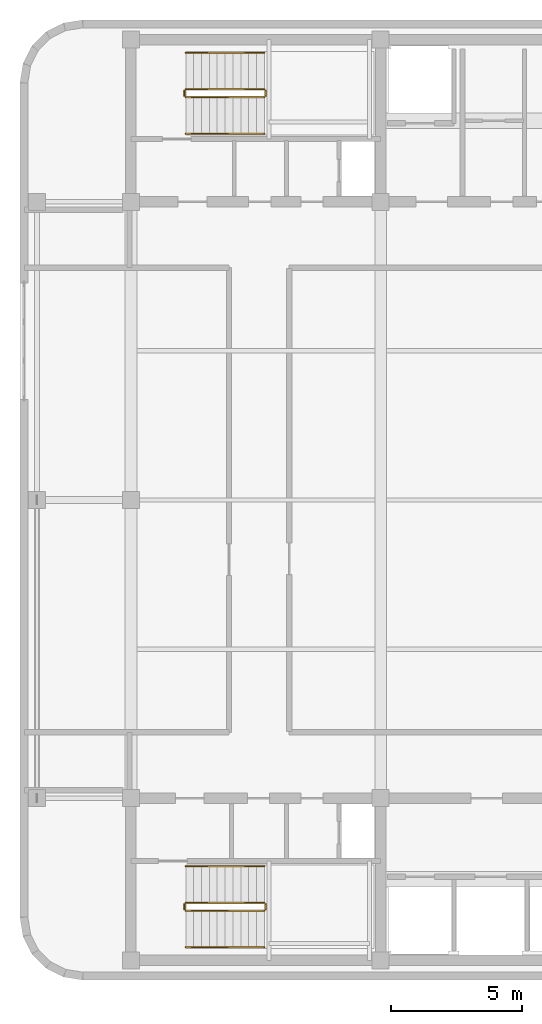
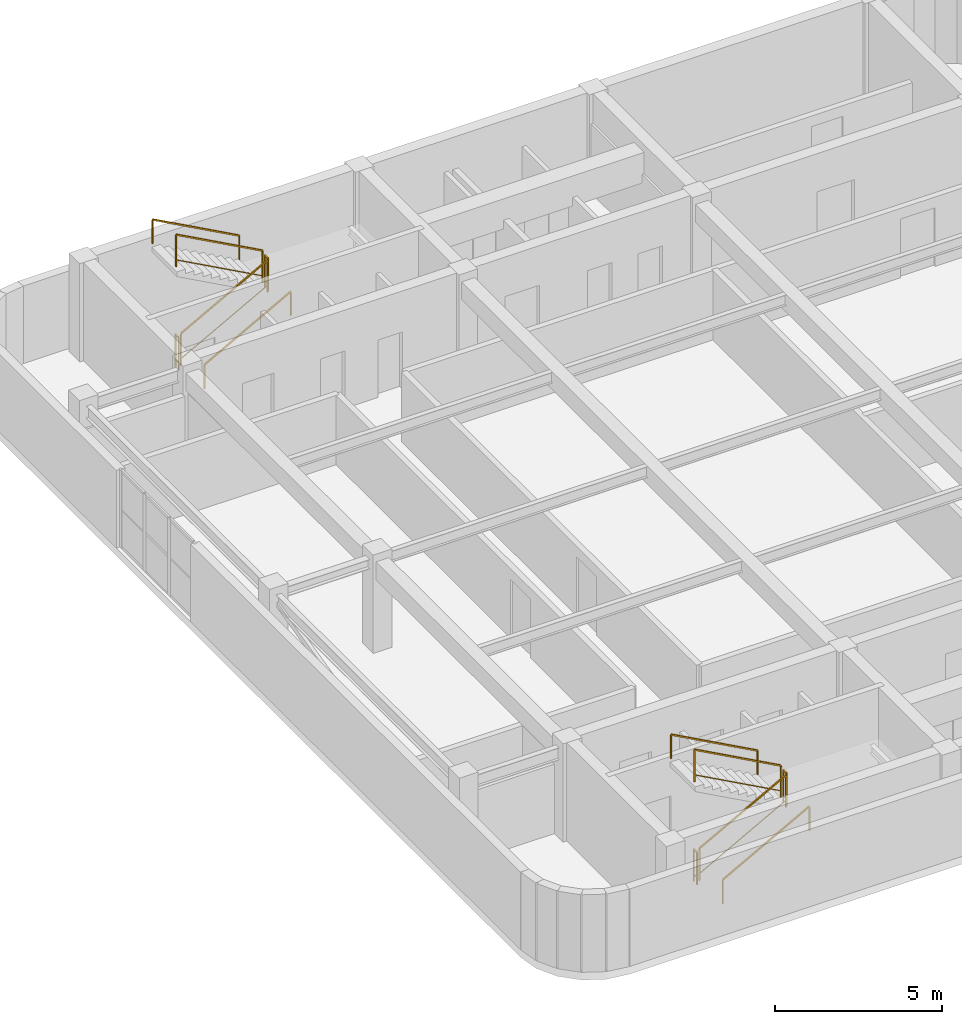
# One storey, part 9 of 9: 12 railings.
"""IFC4 building model written with IfcOpenShell, lengths in metres."""

from ifc_helpers import new_model, si_unit, direction, frame, origin, origin_2d, place, context, subcontext, project, spatial, rectangle, extrude, material, type_object, element, save


model = new_model("IFC4")

# Units and contexts
model_context = context("Model", 3, precision=1e-05, world=origin(), true_north=direction((0.0, 1.0)))
body_context = subcontext(model_context, "Body", "Model", "MODEL_VIEW")
ifc_project = project(units=[si_unit("LENGTHUNIT", "METRE"), si_unit("AREAUNIT", "SQUARE_METRE"), si_unit("VOLUMEUNIT", "CUBIC_METRE"), si_unit("PLANEANGLEUNIT", "RADIAN"), si_unit("MASSUNIT", "GRAM", prefix="KILO")], contexts=[model_context])

# Site, building, storey
site_placement = place(None, origin())
site = spatial("IfcSite", under=ifc_project, at=site_placement, CompositionType="ELEMENT")
building_placement = place(site_placement, origin())
building = spatial("IfcBuilding", under=site, at=building_placement, Name="Svetorya Sky Lyceum", CompositionType="ELEMENT")
storey_placement = place(building_placement, frame((0.0, 0.0, 309.199951171875)))
storey = spatial("IfcBuildingStorey", under=building, at=storey_placement, Name="C03", CompositionType="ELEMENT", Elevation=309.199951171875)

# Railings
ifc_material_1 = material(Name="Painted galvanized stair well guard")
railing_type_1 = type_object("IfcRailingType", Name="RL-STR-GUARD-1200", PredefinedType="GUARDRAIL", material=ifc_material_1)
railing_1_placement = place(storey_placement, frame((27.699951171875, 12.5, 0.16357421875)))
element("IfcRailing", 1, at=railing_1_placement, inside=storey, type_object=railing_type_1, Name="C03 ST-S stair guard 1", PredefinedType="GUARDRAIL", context=body_context, shape_type="SweptSolid", body=[
    extrude(rectangle(XDim=0.048095703125, YDim=0.048095703125, at=origin_2d()), frame((0.0, 0.0, 1.17578125), z_axis=(0.877881921179, 0.0, 0.478877158013), x_axis=(0.0, 1.0, 0.0)), (0.0, 0.0, 1.0), 3.417236328125),
    extrude(rectangle(XDim=0.02392578125, YDim=0.02392578125, at=origin_2d()), frame((0.0, 0.0, 0.25), z_axis=(0.877881921179, 0.0, 0.478877158013), x_axis=(0.0, 1.0, 0.0)), (0.0, 0.0, 1.0), 3.417236328125),
    extrude(rectangle(XDim=0.0419921875, YDim=0.0419921875, at=origin_2d()), origin(), (0.0, 0.0, 1.0), 1.15185546875),
    extrude(rectangle(XDim=0.0419921875, YDim=0.0419921875, at=origin_2d()), frame((3.0, 0.0, 1.636474609375)), (0.0, 0.0, 1.0), 1.15185546875),
])
railing_2_placement = place(storey_placement, frame((30.75, 12.550048828125, 1.800048828125)))
element("IfcRailing", 2, at=railing_2_placement, inside=storey, type_object=railing_type_1, Name="C03 ST-S stair guard 2", PredefinedType="GUARDRAIL", context=body_context, shape_type="SweptSolid", body=[
    extrude(rectangle(XDim=0.048095703125, YDim=0.048095703125, at=origin_2d()), frame((0.0, 0.0, 1.17578125), z_axis=(0.0, 1.0, 0.0), x_axis=(-1.0, 0.0, 0.0)), (0.0, 0.0, 1.0), 0.199951171875),
    extrude(rectangle(XDim=0.02392578125, YDim=0.02392578125, at=origin_2d()), frame((0.0, 0.0, 0.25), z_axis=(0.0, 1.0, 0.0), x_axis=(-1.0, 0.0, 0.0)), (0.0, 0.0, 1.0), 0.199951171875),
    extrude(rectangle(XDim=0.0419921875, YDim=0.0419921875, at=origin_2d()), origin(), (0.0, 0.0, 1.0), 1.15185546875),
    extrude(rectangle(XDim=0.0419921875, YDim=0.0419921875, at=origin_2d()), frame((0.0, 0.199951171875, 0.0)), (0.0, 0.0, 1.0), 1.15185546875),
])
railing_3_placement = place(storey_placement, frame((30.699951171875, 12.800048828125, 1.963623046875)))
element("IfcRailing", 3, at=railing_3_placement, inside=storey, type_object=railing_type_1, Name="C03 ST-S stair guard 3", PredefinedType="GUARDRAIL", context=body_context, shape_type="SweptSolid", body=[
    extrude(rectangle(XDim=0.048095703125, YDim=0.048095703125, at=origin_2d()), frame((0.0, 0.0, 1.17578125), z_axis=(-0.877881921179, 0.0, 0.478877158013), x_axis=(0.0, -1.0, 0.0)), (0.0, 0.0, 1.0), 3.417236328125),
    extrude(rectangle(XDim=0.02392578125, YDim=0.02392578125, at=origin_2d()), frame((0.0, 0.0, 0.25), z_axis=(-0.877881921179, 0.0, 0.478877158013), x_axis=(0.0, -1.0, 0.0)), (0.0, 0.0, 1.0), 3.417236328125),
    extrude(rectangle(XDim=0.0419921875, YDim=0.0419921875, at=origin_2d()), origin(), (0.0, 0.0, 1.0), 1.15185546875),
    extrude(rectangle(XDim=0.0419921875, YDim=0.0419921875, at=origin_2d()), frame((-3.0, 0.0, 1.636474609375)), (0.0, 0.0, 1.0), 1.15185546875),
])
railing_4_placement = place(storey_placement, frame((27.64990234375, 12.550048828125, 0.0)))
element("IfcRailing", 4, at=railing_4_placement, inside=storey, type_object=railing_type_1, Name="C03 ST-S stair guard 4", PredefinedType="GUARDRAIL", context=body_context, shape_type="SweptSolid", body=[
    extrude(rectangle(XDim=0.048095703125, YDim=0.048095703125, at=origin_2d()), frame((0.0, 0.0, 1.17578125), z_axis=(0.0, 1.0, 0.0), x_axis=(-1.0, 0.0, 0.0)), (0.0, 0.0, 1.0), 0.199951171875),
    extrude(rectangle(XDim=0.02392578125, YDim=0.02392578125, at=origin_2d()), frame((0.0, 0.0, 0.25), z_axis=(0.0, 1.0, 0.0), x_axis=(-1.0, 0.0, 0.0)), (0.0, 0.0, 1.0), 0.199951171875),
    extrude(rectangle(XDim=0.0419921875, YDim=0.0419921875, at=origin_2d()), origin(), (0.0, 0.0, 1.0), 1.15185546875),
    extrude(rectangle(XDim=0.0419921875, YDim=0.0419921875, at=origin_2d()), frame((0.0, 0.199951171875, 0.0)), (0.0, 0.0, 1.0), 1.15185546875),
])
railing_5_placement = place(storey_placement, frame((27.699951171875, 43.60009765625, 0.16357421875)))
element("IfcRailing", 5, at=railing_5_placement, inside=storey, type_object=railing_type_1, Name="C03 ST-N stair guard 1", PredefinedType="GUARDRAIL", context=body_context, shape_type="SweptSolid", body=[
    extrude(rectangle(XDim=0.048095703125, YDim=0.048095703125, at=origin_2d()), frame((0.0, 0.0, 1.17578125), z_axis=(0.877881921179, 0.0, 0.478877158013), x_axis=(0.0, 1.0, 0.0)), (0.0, 0.0, 1.0), 3.417236328125),
    extrude(rectangle(XDim=0.02392578125, YDim=0.02392578125, at=origin_2d()), frame((0.0, 0.0, 0.25), z_axis=(0.877881921179, 0.0, 0.478877158013), x_axis=(0.0, 1.0, 0.0)), (0.0, 0.0, 1.0), 3.417236328125),
    extrude(rectangle(XDim=0.0419921875, YDim=0.0419921875, at=origin_2d()), origin(), (0.0, 0.0, 1.0), 1.15185546875),
    extrude(rectangle(XDim=0.0419921875, YDim=0.0419921875, at=origin_2d()), frame((3.0, 0.0, 1.636474609375)), (0.0, 0.0, 1.0), 1.15185546875),
])
railing_6_placement = place(storey_placement, frame((30.75, 43.64990234375, 1.800048828125)))
element("IfcRailing", 6, at=railing_6_placement, inside=storey, type_object=railing_type_1, Name="C03 ST-N stair guard 2", PredefinedType="GUARDRAIL", context=body_context, shape_type="SweptSolid", body=[
    extrude(rectangle(XDim=0.048095703125, YDim=0.048095703125, at=origin_2d()), frame((0.0, 0.0, 1.17578125), z_axis=(0.0, 1.0, 0.0), x_axis=(-1.0, 0.0, 0.0)), (0.0, 0.0, 1.0), 0.2001953125),
    extrude(rectangle(XDim=0.02392578125, YDim=0.02392578125, at=origin_2d()), frame((0.0, 0.0, 0.25), z_axis=(0.0, 1.0, 0.0), x_axis=(-1.0, 0.0, 0.0)), (0.0, 0.0, 1.0), 0.2001953125),
    extrude(rectangle(XDim=0.0419921875, YDim=0.0419921875, at=origin_2d()), origin(), (0.0, 0.0, 1.0), 1.15185546875),
    extrude(rectangle(XDim=0.0419921875, YDim=0.0419921875, at=origin_2d()), frame((0.0, 0.2001953125, 0.0)), (0.0, 0.0, 1.0), 1.15185546875),
])
railing_7_placement = place(storey_placement, frame((30.699951171875, 43.89990234375, 1.963623046875)))
element("IfcRailing", 7, at=railing_7_placement, inside=storey, type_object=railing_type_1, Name="C03 ST-N stair guard 3", PredefinedType="GUARDRAIL", context=body_context, shape_type="SweptSolid", body=[
    extrude(rectangle(XDim=0.048095703125, YDim=0.048095703125, at=origin_2d()), frame((0.0, 0.0, 1.17578125), z_axis=(-0.877881921179, 0.0, 0.478877158013), x_axis=(0.0, -1.0, 0.0)), (0.0, 0.0, 1.0), 3.417236328125),
    extrude(rectangle(XDim=0.02392578125, YDim=0.02392578125, at=origin_2d()), frame((0.0, 0.0, 0.25), z_axis=(-0.877881921179, 0.0, 0.478877158013), x_axis=(0.0, -1.0, 0.0)), (0.0, 0.0, 1.0), 3.417236328125),
    extrude(rectangle(XDim=0.0419921875, YDim=0.0419921875, at=origin_2d()), origin(), (0.0, 0.0, 1.0), 1.15185546875),
    extrude(rectangle(XDim=0.0419921875, YDim=0.0419921875, at=origin_2d()), frame((-3.0, 0.0, 1.636474609375)), (0.0, 0.0, 1.0), 1.15185546875),
])
railing_8_placement = place(storey_placement, frame((27.64990234375, 43.64990234375, 0.0)))
element("IfcRailing", 8, at=railing_8_placement, inside=storey, type_object=railing_type_1, Name="C03 ST-N stair guard 4", PredefinedType="GUARDRAIL", context=body_context, shape_type="SweptSolid", body=[
    extrude(rectangle(XDim=0.048095703125, YDim=0.048095703125, at=origin_2d()), frame((0.0, 0.0, 1.17578125), z_axis=(0.0, 1.0, 0.0), x_axis=(-1.0, 0.0, 0.0)), (0.0, 0.0, 1.0), 0.2001953125),
    extrude(rectangle(XDim=0.02392578125, YDim=0.02392578125, at=origin_2d()), frame((0.0, 0.0, 0.25), z_axis=(0.0, 1.0, 0.0), x_axis=(-1.0, 0.0, 0.0)), (0.0, 0.0, 1.0), 0.2001953125),
    extrude(rectangle(XDim=0.0419921875, YDim=0.0419921875, at=origin_2d()), origin(), (0.0, 0.0, 1.0), 1.15185546875),
    extrude(rectangle(XDim=0.0419921875, YDim=0.0419921875, at=origin_2d()), frame((0.0, 0.2001953125, 0.0)), (0.0, 0.0, 1.0), 1.15185546875),
])
ifc_material_2 = material(Name="Brushed stainless AISI 304 stair handrail")
railing_type_2 = type_object("IfcRailingType", Name="RL-STR-HAND-920", PredefinedType="HANDRAIL", material=ifc_material_2)
railing_9_placement = place(storey_placement, frame((27.699951171875, 11.10009765625, 0.16357421875)))
element("IfcRailing", 9, at=railing_9_placement, inside=storey, type_object=railing_type_2, Name="C03 ST-S stair handrail 1", PredefinedType="HANDRAIL", context=body_context, shape_type="SweptSolid", body=[
    extrude(rectangle(XDim=0.048095703125, YDim=0.048095703125, at=origin_2d()), frame((0.0, 0.0, 0.8759765625), z_axis=(0.877881921179, 0.0, 0.478877158013), x_axis=(0.0, 1.0, 0.0)), (0.0, 0.0, 1.0), 3.417236328125),
    extrude(rectangle(XDim=0.0419921875, YDim=0.0419921875, at=origin_2d()), origin(), (0.0, 0.0, 1.0), 0.851806640625),
    extrude(rectangle(XDim=0.0419921875, YDim=0.0419921875, at=origin_2d()), frame((3.0, 0.0, 1.636474609375)), (0.0, 0.0, 1.0), 0.851806640625),
])
railing_10_placement = place(storey_placement, frame((30.699951171875, 14.199951171875, 1.963623046875)))
element("IfcRailing", 10, at=railing_10_placement, inside=storey, type_object=railing_type_2, Name="C03 ST-S stair handrail 2", PredefinedType="HANDRAIL", context=body_context, shape_type="SweptSolid", body=[
    extrude(rectangle(XDim=0.048095703125, YDim=0.048095703125, at=origin_2d()), frame((0.0, 0.0, 0.8759765625), z_axis=(-0.877881921179, 0.0, 0.478877158013), x_axis=(0.0, -1.0, 0.0)), (0.0, 0.0, 1.0), 3.417236328125),
    extrude(rectangle(XDim=0.0419921875, YDim=0.0419921875, at=origin_2d()), origin(), (0.0, 0.0, 1.0), 0.851806640625),
    extrude(rectangle(XDim=0.0419921875, YDim=0.0419921875, at=origin_2d()), frame((-3.0, 0.0, 1.636474609375)), (0.0, 0.0, 1.0), 0.851806640625),
])
railing_11_placement = place(storey_placement, frame((27.699951171875, 42.199951171875, 0.16357421875)))
element("IfcRailing", 11, at=railing_11_placement, inside=storey, type_object=railing_type_2, Name="C03 ST-N stair handrail 1", PredefinedType="HANDRAIL", context=body_context, shape_type="SweptSolid", body=[
    extrude(rectangle(XDim=0.048095703125, YDim=0.048095703125, at=origin_2d()), frame((0.0, 0.0, 0.8759765625), z_axis=(0.877881921179, 0.0, 0.478877158013), x_axis=(0.0, 1.0, 0.0)), (0.0, 0.0, 1.0), 3.417236328125),
    extrude(rectangle(XDim=0.0419921875, YDim=0.0419921875, at=origin_2d()), origin(), (0.0, 0.0, 1.0), 0.851806640625),
    extrude(rectangle(XDim=0.0419921875, YDim=0.0419921875, at=origin_2d()), frame((3.0, 0.0, 1.636474609375)), (0.0, 0.0, 1.0), 0.851806640625),
])
railing_12_placement = place(storey_placement, frame((30.699951171875, 45.300048828125, 1.963623046875)))
element("IfcRailing", 12, at=railing_12_placement, inside=storey, type_object=railing_type_2, Name="C03 ST-N stair handrail 2", PredefinedType="HANDRAIL", context=body_context, shape_type="SweptSolid", body=[
    extrude(rectangle(XDim=0.048095703125, YDim=0.048095703125, at=origin_2d()), frame((0.0, 0.0, 0.8759765625), z_axis=(-0.877881921179, 0.0, 0.478877158013), x_axis=(0.0, -1.0, 0.0)), (0.0, 0.0, 1.0), 3.417236328125),
    extrude(rectangle(XDim=0.0419921875, YDim=0.0419921875, at=origin_2d()), origin(), (0.0, 0.0, 1.0), 0.851806640625),
    extrude(rectangle(XDim=0.0419921875, YDim=0.0419921875, at=origin_2d()), frame((-3.0, 0.0, 1.636474609375)), (0.0, 0.0, 1.0), 0.851806640625),
])

save(model, "model.ifc")
